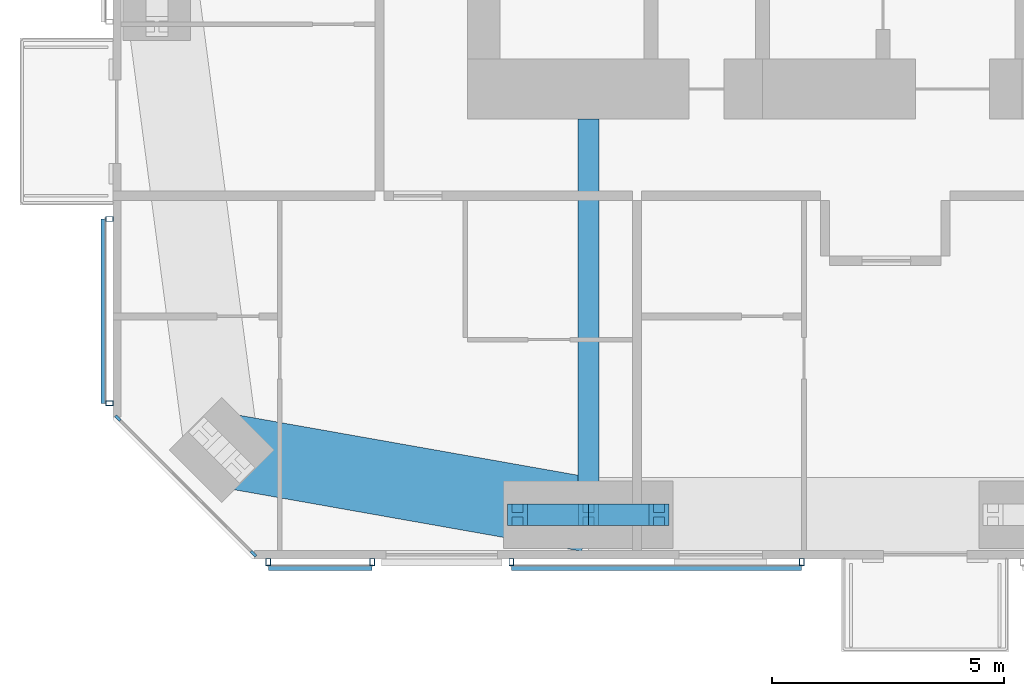
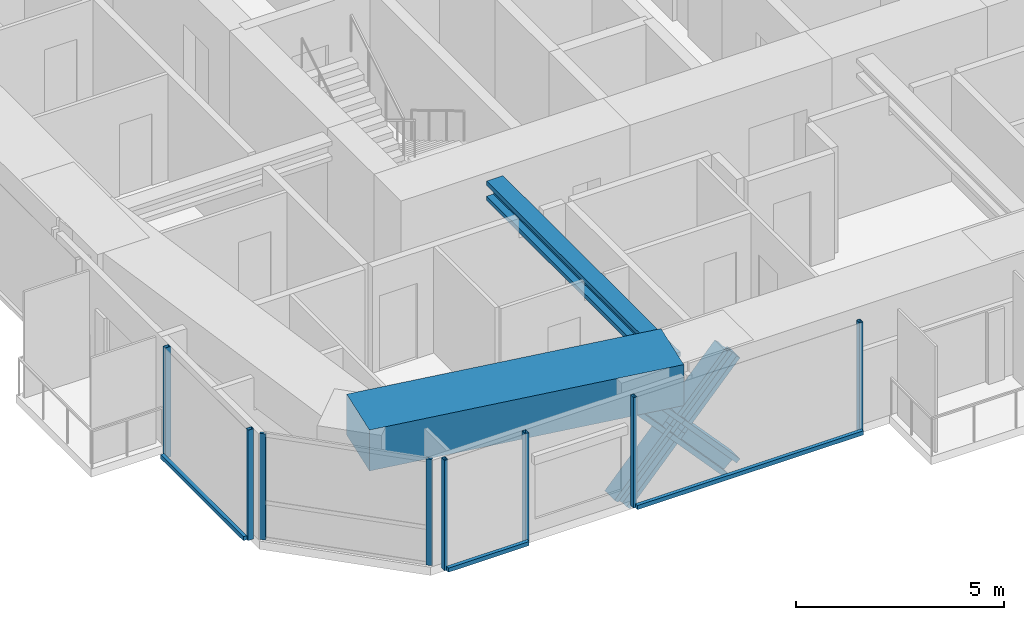
# One storey, part 2 of 23: 15 members, 2 beams, 4 elements without a shape of their own.
"""IFC4 building model written with IfcOpenShell, lengths in metres."""

from ifc_helpers import new_model, si_unit, direction, frame, origin, origin_2d, place, context, subcontext, project, spatial, rectangle, hollow_rectangle, i_section, extrude, material, material_profile, profile_set, type_object, element, aggregate, save


model = new_model("IFC4")

# Units and contexts
model_context = context("Model", 3, precision=1e-05, world=origin(), true_north=direction((0.0, 1.0)))
body_context = subcontext(model_context, "Body", "Model", "MODEL_VIEW")
ifc_project = project(units=[si_unit("LENGTHUNIT", "METRE"), si_unit("AREAUNIT", "SQUARE_METRE"), si_unit("VOLUMEUNIT", "CUBIC_METRE"), si_unit("PLANEANGLEUNIT", "RADIAN"), si_unit("MASSUNIT", "GRAM", prefix="KILO")], contexts=[model_context])

# Site, building, storey
site_placement = place(None, origin())
site = spatial("IfcSite", under=ifc_project, at=site_placement, CompositionType="ELEMENT")
building_placement = place(site_placement, origin())
building = spatial("IfcBuilding", under=site, at=building_placement, Name="Jalousie Tower", CompositionType="ELEMENT")
storey_placement = place(building_placement, frame((0.0, 0.0, 184.5)))
storey = spatial("IfcBuildingStorey", under=building, at=storey_placement, Name="L50", CompositionType="ELEMENT", Elevation=184.5)

# Curtain wall, members
ifc_material_1 = material(Name="Aluminium curtain wall", Category="aluminium")
curtain_wall_type_1 = type_object("IfcCurtainWallType", Name="CORNER WINDOW WALL", PredefinedType="USERDEFINED", material=ifc_material_1)
curtain_wall_1_placement = place(storey_placement, origin())
curtain_wall_1 = element("IfcCurtainWall", 1, at=curtain_wall_1_placement, inside=storey, type_object=curtain_wall_type_1, Name="Corner Window Wall L50 8", ObjectType="CORNER WINDOW WALL", PredefinedType="USERDEFINED")
ifc_material_2 = material(Name="Aluminium mullion", Category="aluminium")
ifc_material_profile_1 = material_profile(ifc_material_2, rectangle(XDim=0.06005859375, YDim=0.14990234375, at=origin_2d()), Name="MULLION 60x150")
ifc_profile_set_1 = profile_set([ifc_material_profile_1], Name="Aluminium mullion")
member_type_1 = type_object("IfcMemberType", Name="CORNER WINDOW WALL MULLION", PredefinedType="MULLION", material=ifc_profile_set_1)
member_1_placement = place(storey_placement, frame((12.108642578125, 3.030029296875, 0.0), z_axis=(0.0, 0.0, 1.0), x_axis=(0.707106781187, 0.707106781187, 0.0)))
member_1 = element("IfcMember", 2, at=member_1_placement, type_object=member_type_1, Name="CW-C mullion 1", PredefinedType="MULLION", context=body_context, shape_type="SweptSolid", body=[
    extrude(rectangle(XDim=0.06005859375, YDim=0.14990234375, at=origin_2d()), origin(), (0.0, 0.0, 1.0), 3.110107421875),
])
member_2_placement = place(storey_placement, frame((15.030029296875, 0.108642578125, 0.0), z_axis=(0.0, 0.0, 1.0), x_axis=(0.707106781187, 0.707106781187, 0.0)))
member_2 = element("IfcMember", 3, at=member_2_placement, type_object=member_type_1, Name="CW-C mullion 2", PredefinedType="MULLION", context=body_context, shape_type="SweptSolid", body=[
    extrude(rectangle(XDim=0.06005859375, YDim=0.14990234375, at=origin_2d()), origin(), (0.0, 0.0, 1.0), 3.110107421875),
])
aggregate(curtain_wall_1, [member_1, member_2])

# Beam
ifc_material_3 = material(Name="Steel ASTM A992 Grade 50", Category="steel")
ifc_material_profile_2 = material_profile(ifc_material_3, i_section(OverallWidth=0.45458984375, OverallDepth=0.569091796875, WebThickness=0.077880859375, FlangeThickness=0.124755859375, at=origin_2d()), Name="W14X730")
ifc_profile_set_2 = profile_set([ifc_material_profile_2], Name="Steel ASTM A992 Grade 50")
beam_type_1 = type_object("IfcBeamType", Name="LEAN COLLECTOR W14X730", PredefinedType="BEAM", material=ifc_profile_set_2)
beam_1_placement = place(storey_placement, frame((22.25, 0.949951171875, 2.825439453125), z_axis=(0.0, 1.0, 0.0), x_axis=(-1.0, 0.0, 0.0)))
element("IfcBeam", 4, at=beam_1_placement, inside=storey, type_object=beam_type_1, Name="Lean collector under L51", PredefinedType="BEAM", context=body_context, shape_type="SweptSolid", body=[
    extrude(i_section(OverallWidth=0.45458984375, OverallDepth=0.569091796875, WebThickness=0.077880859375, FlangeThickness=0.124755859375, at=origin_2d()), origin(), (0.0, 0.0, 1.0), 8.525146484375),
])

# Members
ifc_material_4 = material(Name="Steel ASTM A992 Grade 50", Category="steel")
ifc_material_profile_3 = material_profile(ifc_material_4, i_section(OverallWidth=0.472412109375, OverallDepth=0.5791015625, WebThickness=0.094970703125, FlangeThickness=0.1298828125, at=origin_2d()), Name="W14X808")
ifc_profile_set_3 = profile_set([ifc_material_profile_3], Name="Steel ASTM A992 Grade 50")
member_type_2 = type_object("IfcMemberType", Name="PERIMETER BRACE W14X808", PredefinedType="BRACE", material=ifc_profile_set_3)
for number, where, z_axis, x_axis, name in (
    (5, (20.72509765625, 0.949951171875, -0.60009765625), (0.673187629365, 0.0, 0.739471713908), (0.0, 1.0, 0.0), "Perimeter brace 02 L50 part 1"),
    (6, (22.25, 0.949951171875, 1.074951171875), (0.673187629365, 0.0, 0.739471713908), (0.0, 1.0, 0.0), "Perimeter brace 02 L50 part 2"),
    (7, (23.77490234375, 0.949951171875, -0.60009765625), (-0.673187629365, 0.0, 0.739471713908), (0.0, -1.0, 0.0), "Perimeter brace 02 L50 part 3"),
    (8, (22.25, 0.949951171875, 1.074951171875), (-0.673187629365, 0.0, 0.739471713908), (0.0, -1.0, 0.0), "Perimeter brace 02 L50 part 4"),
):
    element("IfcMember", number, at=place(storey_placement, frame(where, z_axis=z_axis, x_axis=x_axis)), inside=storey, type_object=member_type_2, Name=name, PredefinedType="BRACE", context=body_context, shape_type="SweptSolid", body=[
        extrude(i_section(OverallWidth=0.472412109375, OverallDepth=0.5791015625, WebThickness=0.094970703125, FlangeThickness=0.1298828125, at=origin_2d()), origin(), (0.0, 0.0, 1.0), 2.26513671875),
    ])

# Beam
ifc_material_5 = material(Name="Concrete f'c 40 MPa", Category="concrete")
ifc_material_profile_4 = material_profile(ifc_material_5, rectangle(XDim=1.60009765625, YDim=1.199951171875, at=origin_2d()), Name="RC 1600x1200")
ifc_profile_set_4 = profile_set([ifc_material_profile_4], Name="Concrete f'c 40 MPa")
beam_type_2 = type_object("IfcBeamType", Name="RC BEAM 1600x1200", PredefinedType="BEAM", material=ifc_profile_set_4)
beam_2_placement = place(storey_placement, frame((14.348388671875, 2.348388671875, 2.75), z_axis=(0.984697370688, -0.174273027632, 0.0), x_axis=(0.174273027632, 0.984697370688, 0.0)))
element("IfcBeam", 9, at=beam_2_placement, inside=storey, type_object=beam_type_2, Name="Edge band beam 01-02 under L51", PredefinedType="BEAM", context=body_context, shape_type="SweptSolid", body=[
    extrude(rectangle(XDim=1.60009765625, YDim=1.199951171875, at=origin_2d()), origin(), (0.0, 0.0, 1.0), 8.0244140625),
])

# Curtain wall, members
ifc_material_6 = material(Name="Perforated aluminium sheet", Category="aluminium")
curtain_wall_type_2 = type_object("IfcCurtainWallType", Name="SOLAR SCREEN SS-1", PredefinedType="USERDEFINED", material=ifc_material_6)
curtain_wall_2_placement = place(storey_placement, origin())
curtain_wall_2 = element("IfcCurtainWall", 10, at=curtain_wall_2_placement, inside=storey, type_object=curtain_wall_type_2, Name="Solar screen L50", ObjectType="SOLAR SCREEN SS-1", PredefinedType="USERDEFINED")
ifc_material_7 = material(Name="Steel ASTM A500 Grade C", Category="steel")
ifc_material_profile_5 = material_profile(ifc_material_7, hollow_rectangle(XDim=0.1015625, YDim=0.15234375, WallThickness=0.00634765625, at=origin_2d()), Name="HSS6X4X1/4")
ifc_profile_set_5 = profile_set([ifc_material_profile_5], Name="Steel ASTM A500 Grade C")
member_type_3 = type_object("IfcMemberType", Name="SOLAR SCREEN SS-1 MULLION", PredefinedType="MULLION", material=ifc_profile_set_5)
member_3_placement = place(storey_placement, frame((15.351318359375, -0.0712890625, -0.1201171875), z_axis=(0.0, 0.0, 1.0), x_axis=(1.0, 0.0, 0.0)))
member_3 = element("IfcMember", 11, at=member_3_placement, type_object=member_type_3, Name="SS1 post 1", PredefinedType="MULLION", context=body_context, shape_type="SweptSolid", body=[
    extrude(hollow_rectangle(XDim=0.1015625, YDim=0.15234375, WallThickness=0.00634765625, at=origin_2d()), origin(), (0.0, 0.0, 1.0), 3.230224609375),
])
member_4_placement = place(storey_placement, frame((17.59130859375, -0.0712890625, -0.1201171875), z_axis=(0.0, 0.0, 1.0), x_axis=(1.0, 0.0, 0.0)))
member_4 = element("IfcMember", 12, at=member_4_placement, type_object=member_type_3, Name="SS1 post 2", PredefinedType="MULLION", context=body_context, shape_type="SweptSolid", body=[
    extrude(hollow_rectangle(XDim=0.1015625, YDim=0.15234375, WallThickness=0.00634765625, at=origin_2d()), origin(), (0.0, 0.0, 1.0), 3.230224609375),
])

curtain_wall_3_placement = place(storey_placement, origin())
curtain_wall_3 = element("IfcCurtainWall", 13, at=curtain_wall_3_placement, inside=storey, type_object=curtain_wall_type_2, Name="Solar screen L50", ObjectType="SOLAR SCREEN SS-1", PredefinedType="USERDEFINED")
member_5_placement = place(storey_placement, frame((20.59130859375, -0.0712890625, -0.1201171875), z_axis=(0.0, 0.0, 1.0), x_axis=(1.0, 0.0, 0.0)))
member_5 = element("IfcMember", 14, at=member_5_placement, type_object=member_type_3, Name="SS1 post 1", PredefinedType="MULLION", context=body_context, shape_type="SweptSolid", body=[
    extrude(hollow_rectangle(XDim=0.1015625, YDim=0.15234375, WallThickness=0.00634765625, at=origin_2d()), origin(), (0.0, 0.0, 1.0), 3.230224609375),
])
member_6_placement = place(storey_placement, frame((26.85009765625, -0.0712890625, -0.1201171875), z_axis=(0.0, 0.0, 1.0), x_axis=(1.0, 0.0, 0.0)))
member_6 = element("IfcMember", 15, at=member_6_placement, type_object=member_type_3, Name="SS1 post 2", PredefinedType="MULLION", context=body_context, shape_type="SweptSolid", body=[
    extrude(hollow_rectangle(XDim=0.1015625, YDim=0.15234375, WallThickness=0.00634765625, at=origin_2d()), origin(), (0.0, 0.0, 1.0), 3.230224609375),
])

curtain_wall_4_placement = place(storey_placement, origin())
curtain_wall_4 = element("IfcCurtainWall", 16, at=curtain_wall_4_placement, inside=storey, type_object=curtain_wall_type_2, Name="Solar screen L50", ObjectType="SOLAR SCREEN SS-1", PredefinedType="USERDEFINED")
member_7_placement = place(storey_placement, frame((11.9287109375, 7.324951171875, -0.1201171875), z_axis=(0.0, 0.0, 1.0), x_axis=(0.0, -1.0, 0.0)))
member_7 = element("IfcMember", 17, at=member_7_placement, type_object=member_type_3, Name="SS1 post 1", PredefinedType="MULLION", context=body_context, shape_type="SweptSolid", body=[
    extrude(hollow_rectangle(XDim=0.1015625, YDim=0.15234375, WallThickness=0.00634765625, at=origin_2d()), origin(), (0.0, 0.0, 1.0), 3.230224609375),
])
member_8_placement = place(storey_placement, frame((11.9287109375, 3.351318359375, -0.1201171875), z_axis=(0.0, 0.0, 1.0), x_axis=(0.0, -1.0, 0.0)))
member_8 = element("IfcMember", 18, at=member_8_placement, type_object=member_type_3, Name="SS1 post 2", PredefinedType="MULLION", context=body_context, shape_type="SweptSolid", body=[
    extrude(hollow_rectangle(XDim=0.1015625, YDim=0.15234375, WallThickness=0.00634765625, at=origin_2d()), origin(), (0.0, 0.0, 1.0), 3.230224609375),
])

# Member
ifc_material_8 = material(Name="Extruded aluminium screen rail", Category="aluminium")
ifc_material_profile_6 = material_profile(ifc_material_8, rectangle(XDim=0.1015625, YDim=0.1201171875, at=origin_2d()), Name="RAIL 102x120")
ifc_profile_set_6 = profile_set([ifc_material_profile_6], Name="Extruded aluminium screen rail")
member_type_4 = type_object("IfcMemberType", Name="SOLAR SCREEN SS-1 TRANSOM", PredefinedType="USERDEFINED", material=ifc_profile_set_6)
member_9_placement = place(storey_placement, frame((15.351318359375, -0.1982421875, -0.06005859375), z_axis=(1.0, 0.0, 0.0), x_axis=(0.0, 1.0, 0.0)))
member_9 = element("IfcMember", 19, at=member_9_placement, type_object=member_type_4, Name="SS1 rail", ObjectType="TRANSOM", PredefinedType="USERDEFINED", context=body_context, shape_type="SweptSolid", body=[
    extrude(rectangle(XDim=0.1015625, YDim=0.1201171875, at=origin_2d()), origin(), (0.0, 0.0, 1.0), 2.239990234375),
])

aggregate(curtain_wall_2, [member_3, member_4, member_9])

member_10_placement = place(storey_placement, frame((20.59130859375, -0.1982421875, -0.06005859375), z_axis=(1.0, 0.0, 0.0), x_axis=(0.0, 1.0, 0.0)))
member_10 = element("IfcMember", 20, at=member_10_placement, type_object=member_type_4, Name="SS1 rail", ObjectType="TRANSOM", PredefinedType="USERDEFINED", context=body_context, shape_type="SweptSolid", body=[
    extrude(rectangle(XDim=0.1015625, YDim=0.1201171875, at=origin_2d()), origin(), (0.0, 0.0, 1.0), 6.2587890625),
])

aggregate(curtain_wall_3, [member_5, member_6, member_10])

member_11_placement = place(storey_placement, frame((11.8017578125, 7.324951171875, -0.06005859375), z_axis=(0.0, -1.0, 0.0), x_axis=(1.0, 0.0, 0.0)))
member_11 = element("IfcMember", 21, at=member_11_placement, type_object=member_type_4, Name="SS1 rail", ObjectType="TRANSOM", PredefinedType="USERDEFINED", context=body_context, shape_type="SweptSolid", body=[
    extrude(rectangle(XDim=0.1015625, YDim=0.1201171875, at=origin_2d()), origin(), (0.0, 0.0, 1.0), 3.9736328125),
])

aggregate(curtain_wall_4, [member_7, member_8, member_11])

save(model, "model.ifc")
